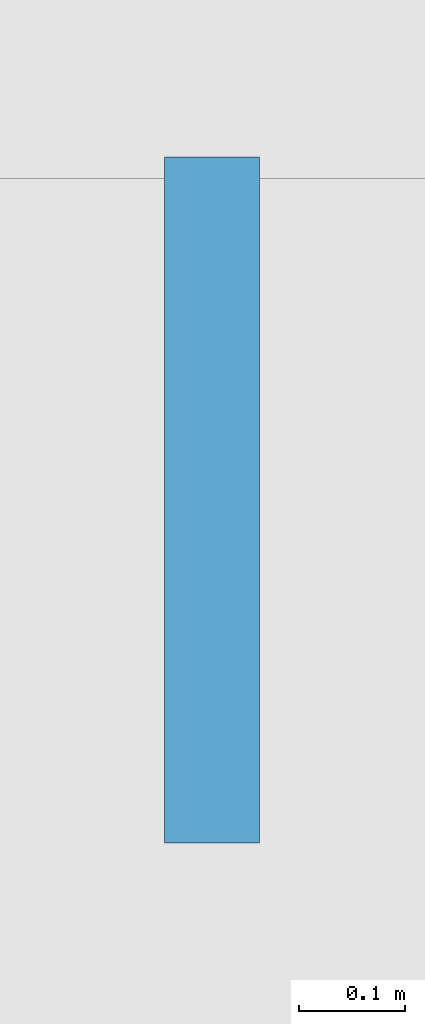
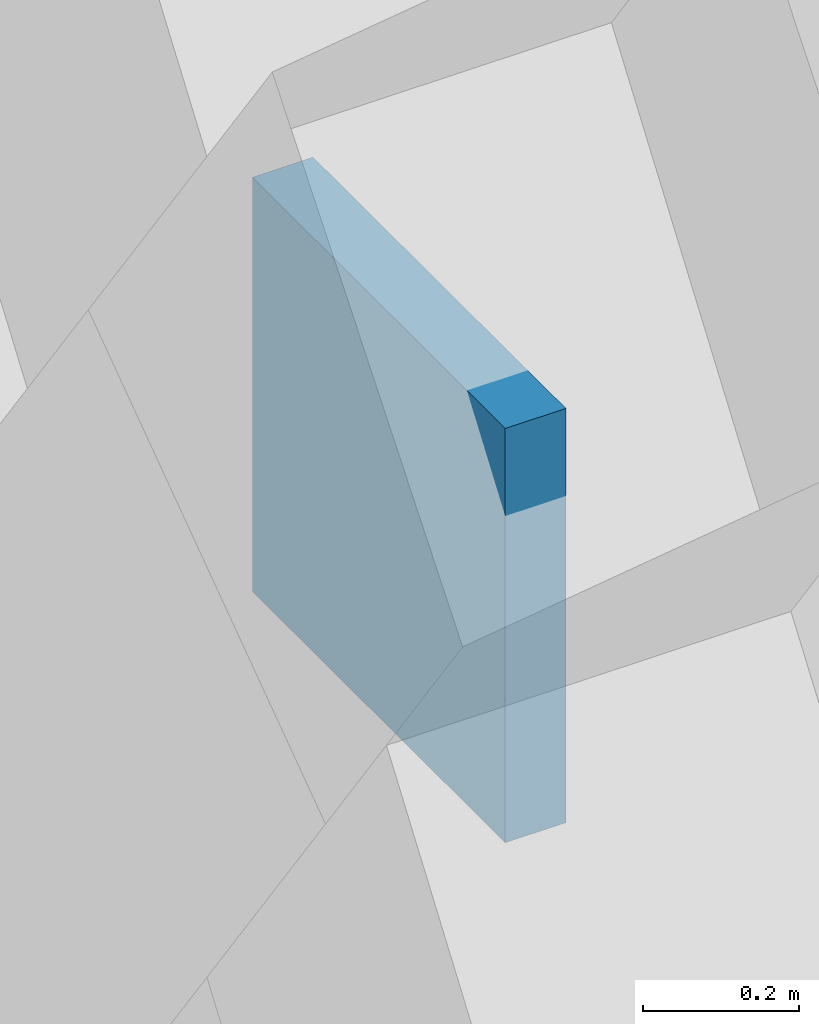
# One storey, part 52 of 74: 1 plate.
"""IFC4 building model written with IfcOpenShell, lengths in metres."""

from ifc_helpers import new_model, si_unit, direction, frame, origin, origin_2d, place, context, subcontext, project, spatial, rectangle, extrude, material, layer, layer_set, type_object, element, save


model = new_model("IFC4")

# Units and contexts
model_context = context("Model", 3, precision=1e-05, world=origin(), true_north=direction((0.0, 1.0)))
body_context = subcontext(model_context, "Body", "Model", "MODEL_VIEW")
ifc_project = project(units=[si_unit("LENGTHUNIT", "METRE"), si_unit("AREAUNIT", "SQUARE_METRE"), si_unit("VOLUMEUNIT", "CUBIC_METRE"), si_unit("PLANEANGLEUNIT", "RADIAN"), si_unit("MASSUNIT", "GRAM", prefix="KILO"), si_unit("THERMODYNAMICTEMPERATUREUNIT", "KELVIN"), si_unit("POWERUNIT", "WATT")], contexts=[model_context])

# Site, building, storey
site_placement = place(None, origin())
site = spatial("IfcSite", under=ifc_project, at=site_placement, CompositionType="ELEMENT")
building_placement = place(site_placement, origin())
building = spatial("IfcBuilding", under=site, at=building_placement, Name="Tembeka Court Mobility Hub", CompositionType="ELEMENT")
storey_placement = place(building_placement, frame((0.0, 0.0, 12.60009765625)))
storey = spatial("IfcBuildingStorey", under=building, at=storey_placement, Name="L03", CompositionType="ELEMENT", Elevation=12.60009765625)

# Plate
ifc_material = material(Name="Precast concrete C45/55", Category="concrete")
ifc_layer = layer(ifc_material, 0.090087890625)
ifc_layer_set = layer_set([ifc_layer], Name="Precast concrete C45/55")
plate_type = type_object("IfcPlateType", Name="PL-PC01", PredefinedType="SHEET", material=ifc_layer_set)
plate_placement = place(storey_placement, frame((-0.340087890625, 62.550048828125, 1.159912109375), z_axis=(0.0, 0.0, 1.0), x_axis=(1.0, 0.0, 0.0)))
element("IfcPlate", 1, at=plate_placement, inside=storey, type_object=plate_type, Name="Precast diamond lattice node plate PCN01 (L03-506)", PredefinedType="SHEET", context=body_context, shape_type="SweptSolid", body=[
    extrude(rectangle(XDim=0.090087890625, YDim=0.64990234375, at=origin_2d()), origin(), (0.0, 0.0, 1.0), 0.64990234375),
])

save(model, "model.ifc")
